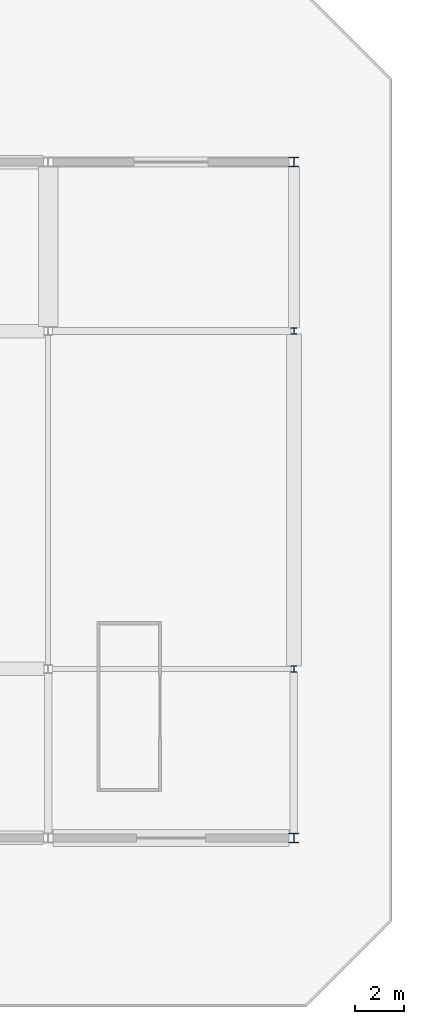
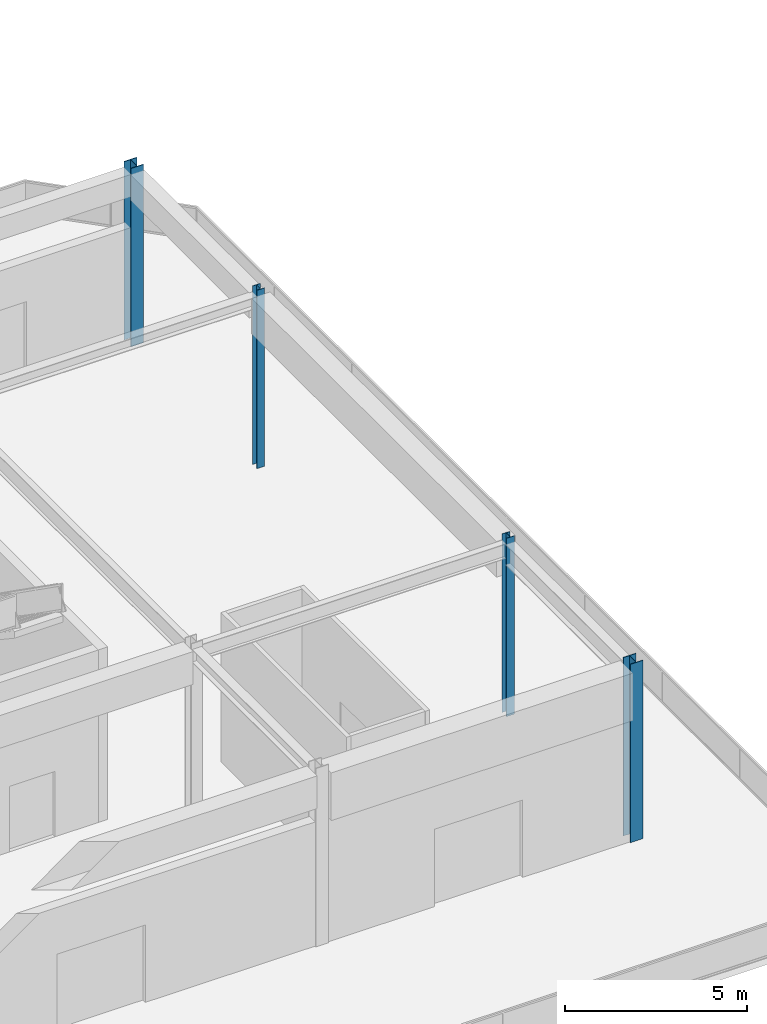
# One storey, part 11 of 73: 4 columns.
"""IFC4 building model written with IfcOpenShell, lengths in metres."""

from ifc_helpers import new_model, si_unit, direction, frame, origin, origin_2d, place, context, subcontext, project, spatial, i_section, extrude, material, material_profile, profile_set, type_object, element, save


model = new_model("IFC4")

# Units and contexts
model_context = context("Model", 3, precision=1e-05, world=origin(), true_north=direction((0.0, 1.0)))
body_context = subcontext(model_context, "Body", "Model", "MODEL_VIEW")
ifc_project = project(units=[si_unit("LENGTHUNIT", "METRE"), si_unit("AREAUNIT", "SQUARE_METRE"), si_unit("VOLUMEUNIT", "CUBIC_METRE"), si_unit("PLANEANGLEUNIT", "RADIAN"), si_unit("MASSUNIT", "GRAM", prefix="KILO")], contexts=[model_context])

# Site, building, storey
site_placement = place(None, origin())
site = spatial("IfcSite", under=ifc_project, at=site_placement, CompositionType="ELEMENT")
building_placement = place(site_placement, origin())
building = spatial("IfcBuilding", under=site, at=building_placement, Name="Linyun Crest Stadium", CompositionType="ELEMENT")
storey_placement = place(building_placement, origin())
storey = spatial("IfcBuildingStorey", under=building, at=storey_placement, Name="L01", CompositionType="ELEMENT", Elevation=0.0)

# Columns
ifc_material_1 = material(Name="Steel Q355C", Category="steel")
ifc_material_profile_1 = material_profile(ifc_material_1, i_section(OverallWidth=0.39990234375, OverallDepth=0.39990234375, WebThickness=0.012939453125, FlangeThickness=0.02099609375, at=origin_2d()), Name="HW 400x400")
ifc_profile_set_1 = profile_set([ifc_material_profile_1], Name="Steel Q355C")
column_type_1 = type_object("IfcColumnType", Name="SC02", PredefinedType="COLUMN", material=ifc_profile_set_1)
for number, where, z_axis, x_axis, name in (
    (1, (94.0, -94.125, 0.0), (0.0, 0.0, 1.0), (1.0, 0.0, 0.0), "Column SC02 L01 935"),
    (2, (94.0, -66.625, 0.0), (0.0, 0.0, 1.0), (1.0, 0.0, 0.0), "Column SC02 L01 944"),
):
    element("IfcColumn", number, at=place(storey_placement, frame(where, z_axis=z_axis, x_axis=x_axis)), inside=storey, type_object=column_type_1, Name=name, PredefinedType="COLUMN", context=body_context, shape_type="SweptSolid", body=[
        extrude(i_section(OverallWidth=0.39990234375, OverallDepth=0.39990234375, WebThickness=0.012939453125, FlangeThickness=0.02099609375, at=origin_2d()), origin(), (0.0, 0.0, 1.0), 5.998046875),
    ])
ifc_material_2 = material(Name="Steel Q355C", Category="steel")
ifc_material_profile_2 = material_profile(ifc_material_2, i_section(OverallWidth=0.25, OverallDepth=0.25, WebThickness=0.009033203125, FlangeThickness=0.013916015625, at=origin_2d()), Name="HW 250x250")
ifc_profile_set_2 = profile_set([ifc_material_profile_2], Name="Steel Q355C")
column_type_2 = type_object("IfcColumnType", Name="SC07", PredefinedType="COLUMN", material=ifc_profile_set_2)
for number, where, z_axis, x_axis, name in (
    (3, (94.0, -87.25, 0.0), (0.0, 0.0, 1.0), (1.0, 0.0, 0.0), "Column SC07 L01 938"),
    (4, (94.0, -73.5, 0.0), (0.0, 0.0, 1.0), (1.0, 0.0, 0.0), "Column SC07 L01 941"),
):
    element("IfcColumn", number, at=place(storey_placement, frame(where, z_axis=z_axis, x_axis=x_axis)), inside=storey, type_object=column_type_2, Name=name, PredefinedType="COLUMN", context=body_context, shape_type="SweptSolid", body=[
        extrude(i_section(OverallWidth=0.25, OverallDepth=0.25, WebThickness=0.009033203125, FlangeThickness=0.013916015625, at=origin_2d()), origin(), (0.0, 0.0, 1.0), 5.998046875),
    ])

save(model, "model.ifc")
